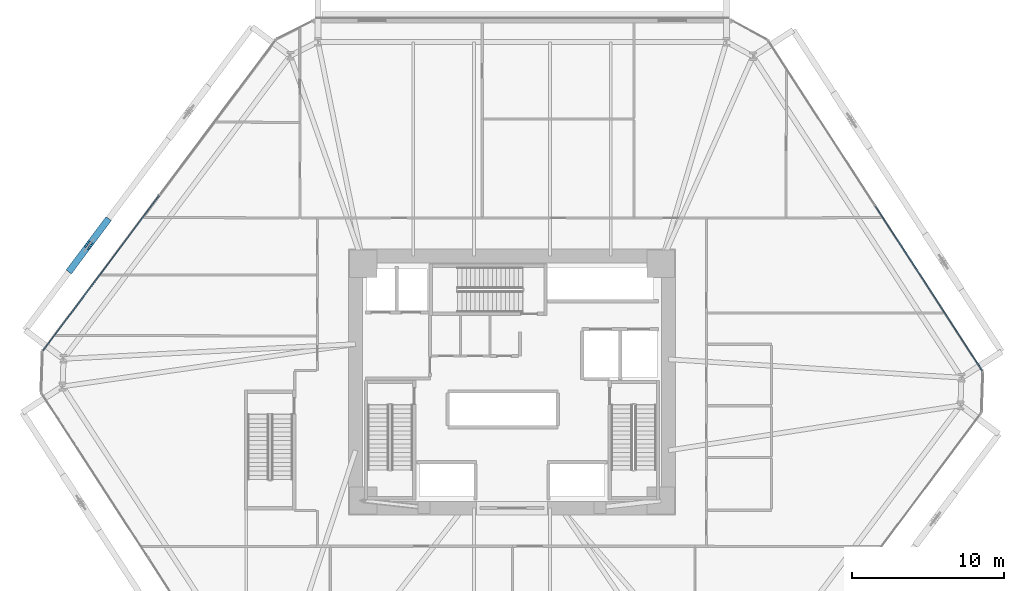
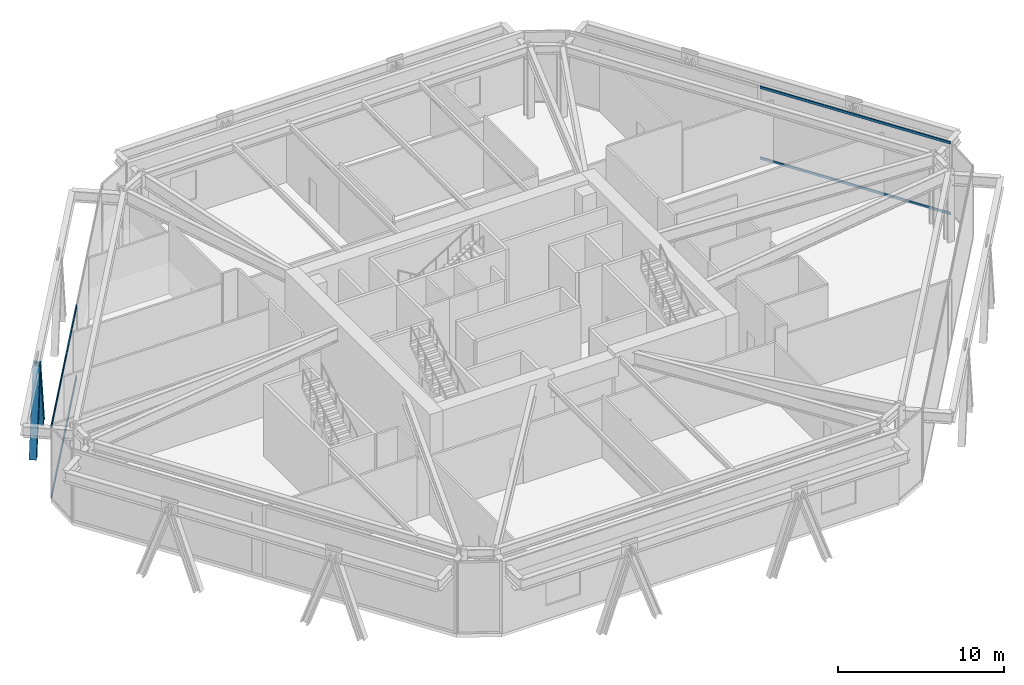
# One storey, part 7 of 23: 6 members, 2 elements without a shape of their own.
"""IFC4 building model written with IfcOpenShell, lengths in metres."""

from ifc_helpers import new_model, si_unit, direction, frame, origin, origin_2d, place, context, subcontext, project, spatial, rectangle, i_section, extrude, source, transform, mapped, material, layer, layer_set, material_profile, profile_set, type_object, type_shapes, element, aggregate, save


model = new_model("IFC4")

# Units and contexts
model_context = context("Model", 3, precision=1e-05, world=origin(), true_north=direction((0.0, 1.0)))
body_context = subcontext(model_context, "Body", "Model", "MODEL_VIEW")
ifc_project = project(units=[si_unit("LENGTHUNIT", "METRE"), si_unit("AREAUNIT", "SQUARE_METRE"), si_unit("VOLUMEUNIT", "CUBIC_METRE"), si_unit("PLANEANGLEUNIT", "RADIAN"), si_unit("MASSUNIT", "GRAM", prefix="KILO")], contexts=[model_context])

# Site, building, storey
site_placement = place(None, origin())
site = spatial("IfcSite", under=ifc_project, at=site_placement, CompositionType="ELEMENT")
building_placement = place(site_placement, origin())
building = spatial("IfcBuilding", under=site, at=building_placement, Name="Durnholm Broadcast Tower", CompositionType="ELEMENT")
storey_placement = place(building_placement, frame((0.0, 0.0, 21.199951171875)))
storey = spatial("IfcBuildingStorey", under=building, at=storey_placement, Name="L04", CompositionType="ELEMENT", Elevation=21.199951171875)

# Members
ifc_material_1 = material(Name="Steel ASTM A913 Grade 65", Category="steel")
ifc_material_profile_1 = material_profile(ifc_material_1, i_section(OverallWidth=0.44189453125, OverallDepth=0.531494140625, WebThickness=0.06591796875, FlangeThickness=0.105712890625, FilletRadius=0.030517578125, at=origin_2d()), Name="W14X605")
ifc_profile_set_1 = profile_set([ifc_material_profile_1], Name="Steel ASTM A913 Grade 65")
member_type_1 = type_object("IfcMemberType", Name="STL-DG-W14X605", PredefinedType="BRACE", material=ifc_profile_set_1)
shared_shape_1 = source(origin(), body_context, "Body", "SweptSolid", [
    extrude(i_section(OverallWidth=0.44189453125, OverallDepth=0.531494140625, WebThickness=0.06591796875, FlangeThickness=0.105712890625, FilletRadius=0.030517578125, at=origin_2d()), origin(), (0.0, 0.0, 1.0), 5.927978515625),
])
type_shapes(member_type_1, [shared_shape_1])
for number, where, z_axis, x_axis, name in (
    (1, (-26.704833984375, 10.5625, -1.071533203125), (-0.196490966915, -0.262591994352, 0.94468870239), (0.800662544514, -0.599115589692, 0.0), "L04 stand-off diagrid brace F5.D2.1"),
    (2, (-29.034423828125, 7.44921875, -1.071533203125), (0.196490966915, 0.262591994352, 0.94468870239), (-0.800662544514, 0.599115589692, 0.0), "L04 stand-off diagrid brace F5.D2.2"),
):
    element("IfcMember", number, at=place(storey_placement, frame(where, z_axis=z_axis, x_axis=x_axis)), inside=storey, type_object=member_type_1, Name=name, PredefinedType="BRACE", context=body_context, shape_type="MappedRepresentation", body=[
        mapped(shared_shape_1, transform((0.0, 0.0, 0.0), x_axis=(1.0, 0.0, 0.0), y_axis=(0.0, 1.0, 0.0), z_axis=(0.0, 0.0, 1.0), scale=1.0)),
    ])

# Curtain wall, members
ifc_material_2 = material(Name="Aluminium and Solar Control IGU", Category="aluminium")
ifc_layer = layer(ifc_material_2, 0.219970703125)
ifc_layer_set = layer_set([ifc_layer], Name="Aluminium and Solar Control IGU")
curtain_wall_type = type_object("IfcCurtainWallType", Name="CW-SYS-2", PredefinedType="NOTDEFINED", material=ifc_layer_set)
curtain_wall_1_placement = place(storey_placement, origin())
curtain_wall_1 = element("IfcCurtainWall", 3, at=curtain_wall_1_placement, inside=storey, type_object=curtain_wall_type, Name="L04 curtain wall CW-STUDIO CW-L04-F02", PredefinedType="NOTDEFINED")
ifc_material_3 = material(Name="Aluminium 6063-T6", Category="aluminium")
ifc_material_profile_2 = material_profile(ifc_material_3, rectangle(XDim=0.074951171875, YDim=0.179931640625, at=origin_2d()), Name="CWT75X180")
ifc_profile_set_2 = profile_set([ifc_material_profile_2], Name="Aluminium 6063-T6")
member_type_2 = type_object("IfcMemberType", Name="CW-SYS-2-TRN", PredefinedType="USERDEFINED", material=ifc_profile_set_2)
shared_shape_2 = source(origin(), body_context, "Body", "SweptSolid", [
    extrude(rectangle(XDim=0.074951171875, YDim=0.179931640625, at=origin_2d()), origin(), (0.0, 0.0, 1.0), 12.736083984375),
])
member_1_placement = place(storey_placement, frame((-30.868896484375, 2.0771484375, 0.03759765625), z_axis=(0.599150086167, 0.800636730513, 0.0), x_axis=(-0.800636730513, 0.599150086167, 0.0)))
member_1 = element("IfcMember", 4, at=member_1_placement, type_object=member_type_2, Name="CW-STUDIO transom 1.1", ObjectType="TRANSOM", PredefinedType="USERDEFINED", context=body_context, shape_type="MappedRepresentation", body=[
    mapped(shared_shape_2, transform((0.0, 0.0, 0.0), x_axis=(1.0, 0.0, 0.0), y_axis=(0.0, 1.0, 0.0), z_axis=(0.0, 0.0, 1.0), scale=1.0)),
])
member_2_placement = place(storey_placement, frame((-30.868896484375, 2.0771484375, 5.242431640625), z_axis=(0.599150086167, 0.800636730513, 0.0), x_axis=(-0.800636730513, 0.599150086167, 0.0)))
member_2 = element("IfcMember", 5, at=member_2_placement, type_object=member_type_2, Name="CW-STUDIO transom 1.2", ObjectType="TRANSOM", PredefinedType="USERDEFINED", context=body_context, shape_type="MappedRepresentation", body=[
    mapped(shared_shape_2, transform((0.0, 0.0, 0.0), x_axis=(1.0, 0.0, 0.0), y_axis=(0.0, 1.0, 0.0), z_axis=(0.0, 0.0, 1.0), scale=1.0)),
])
aggregate(curtain_wall_1, [member_1, member_2])

curtain_wall_2_placement = place(storey_placement, origin())
curtain_wall_2 = element("IfcCurtainWall", 6, at=curtain_wall_2_placement, inside=storey, type_object=curtain_wall_type, Name="L04 curtain wall CW-STUDIO CW-L04-F06", PredefinedType="NOTDEFINED")
shared_shape_3 = source(origin(), body_context, "Body", "SweptSolid", [
    extrude(rectangle(XDim=0.074951171875, YDim=0.179931640625, at=origin_2d()), origin(), (0.0, 0.0, 1.0), 12.896728515625),
])
type_shapes(member_type_2, [shared_shape_2, shared_shape_3])
member_3_placement = place(storey_placement, frame((23.9462890625, 11.564697265625, 0.03759765625), z_axis=(0.544114398501, -0.839011037677, 0.0), x_axis=(0.839011037677, 0.544114398501, 0.0)))
member_3 = element("IfcMember", 7, at=member_3_placement, type_object=member_type_2, Name="CW-STUDIO transom 2.1", ObjectType="TRANSOM", PredefinedType="USERDEFINED", context=body_context, shape_type="MappedRepresentation", body=[
    mapped(shared_shape_3, transform((0.0, 0.0, 0.0), x_axis=(1.0, 0.0, 0.0), y_axis=(0.0, 1.0, 0.0), z_axis=(0.0, 0.0, 1.0), scale=1.0)),
])
member_4_placement = place(storey_placement, frame((23.9462890625, 11.564697265625, 5.242431640625), z_axis=(0.544114398501, -0.839011037677, 0.0), x_axis=(0.839011037677, 0.544114398501, 0.0)))
member_4 = element("IfcMember", 8, at=member_4_placement, type_object=member_type_2, Name="CW-STUDIO transom 2.2", ObjectType="TRANSOM", PredefinedType="USERDEFINED", context=body_context, shape_type="MappedRepresentation", body=[
    mapped(shared_shape_3, transform((0.0, 0.0, 0.0), x_axis=(1.0, 0.0, 0.0), y_axis=(0.0, 1.0, 0.0), z_axis=(0.0, 0.0, 1.0), scale=1.0)),
])
aggregate(curtain_wall_2, [member_3, member_4])

save(model, "model.ifc")
